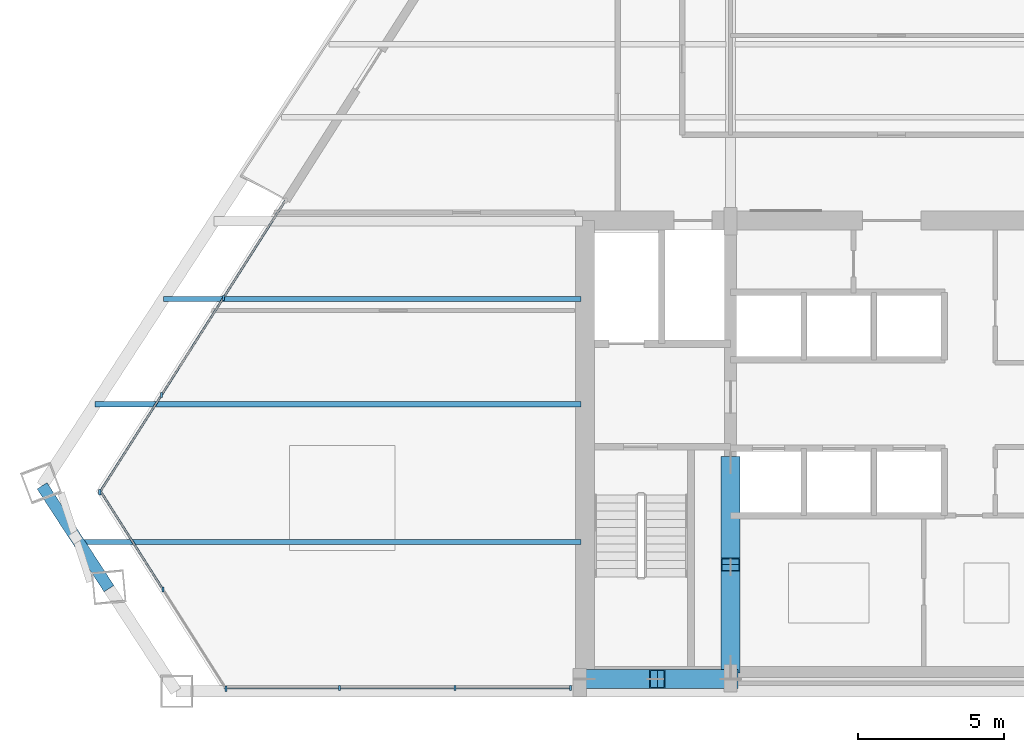
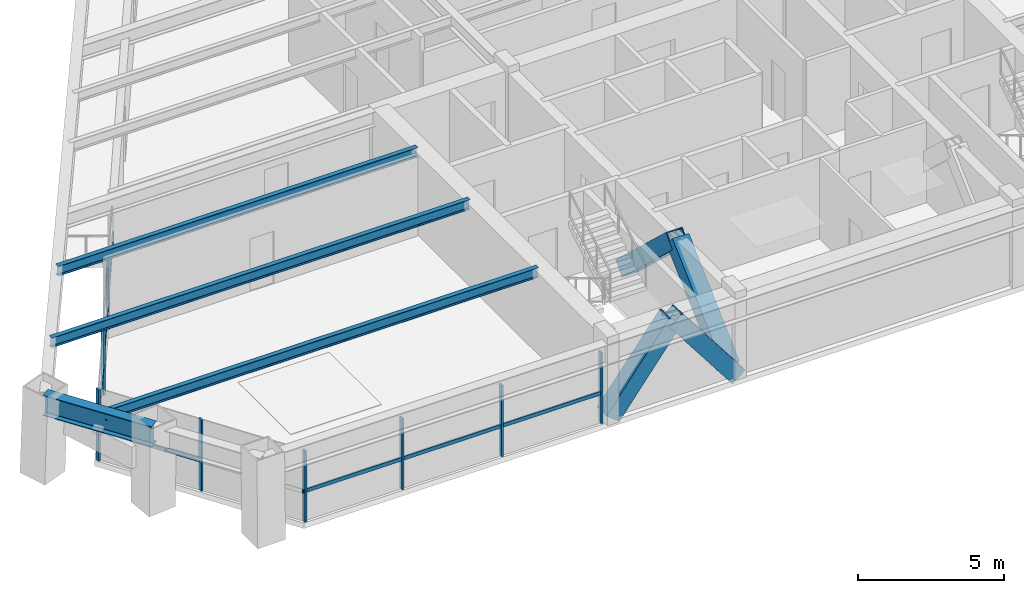
# One storey, part 2 of 15: 19 members, 4 beams, 3 elements without a shape of their own.
"""IFC4 building model written with IfcOpenShell, lengths in metres."""

from ifc_helpers import new_model, si_unit, direction, frame, origin, origin_2d, place, context, subcontext, project, spatial, rectangle, hollow_rectangle, i_section, extrude, source, transform, mapped, material, material_profile, profile_set, type_object, element, aggregate, save


model = new_model("IFC4")

# Units and contexts
model_context = context("Model", 3, precision=1e-05, world=origin(), true_north=direction((0.0, 1.0)))
body_context = subcontext(model_context, "Body", "Model", "MODEL_VIEW")
ifc_project = project(units=[si_unit("LENGTHUNIT", "METRE"), si_unit("AREAUNIT", "SQUARE_METRE"), si_unit("VOLUMEUNIT", "CUBIC_METRE"), si_unit("PLANEANGLEUNIT", "RADIAN"), si_unit("MASSUNIT", "GRAM", prefix="KILO")], contexts=[model_context])

# Site, building, storey
site_placement = place(None, origin())
site = spatial("IfcSite", under=ifc_project, at=site_placement, CompositionType="ELEMENT")
building_placement = place(site_placement, origin())
building = spatial("IfcBuilding", under=site, at=building_placement, Name="Varnakhor Terracotta Tower", CompositionType="ELEMENT")
storey_placement = place(building_placement, frame((0.0, 0.0, 162.60009765625)))
storey = spatial("IfcBuildingStorey", under=building, at=storey_placement, Name="L41", CompositionType="ELEMENT", Elevation=162.60009765625)

# Beams
ifc_material_1 = material(Name="Steel S355", Category="steel")
ifc_material_profile_1 = material_profile(ifc_material_1, i_section(OverallWidth=0.39990234375, OverallDepth=0.85498046875, WebThickness=0.01806640625, FlangeThickness=0.029052734375, FilletRadius=0.01806640625, at=origin_2d()), Name="W33X201")
ifc_profile_set_1 = profile_set([ifc_material_profile_1], Name="Steel S355")
beam_type_1 = type_object("IfcBeamType", Name="BM-W33X201", PredefinedType="BEAM", material=ifc_profile_set_1)
shared_shape_1 = source(origin(), body_context, "Body", "SweptSolid", [
    extrude(i_section(OverallWidth=0.39990234375, OverallDepth=0.85498046875, WebThickness=0.01806640625, FlangeThickness=0.029052734375, FilletRadius=0.01806640625, at=origin_2d()), origin(), (0.0, 0.0, 1.0), 4.1865234375),
])
beam_1_placement = place(storey_placement, frame((-29.007080078125, 7.016357421875, 2.972412109375), z_axis=(0.545773165164, -0.837932964017, 0.0), x_axis=(0.837932964017, 0.545773165164, 0.0)))
element("IfcBeam", 1, at=beam_1_placement, inside=storey, type_object=beam_type_1, Name="L41 Perimeter Spandrel 7", PredefinedType="BEAM", context=body_context, shape_type="MappedRepresentation", body=[
    mapped(shared_shape_1, transform((0.0, 0.0, 0.0), scale=1.0)),
])
ifc_material_profile_2 = material_profile(ifc_material_1, i_section(OverallWidth=0.179931640625, OverallDepth=0.4130859375, WebThickness=0.009765625, FlangeThickness=0.01611328125, FilletRadius=0.01806640625, at=origin_2d()), Name="W16X50")
ifc_profile_set_2 = profile_set([ifc_material_profile_2], Name="Steel S355")
beam_type_2 = type_object("IfcBeamType", Name="JST-W16X50", PredefinedType="JOIST", material=ifc_profile_set_2)
shared_shape_2 = source(origin(), body_context, "Body", "SweptSolid", [
    extrude(i_section(OverallWidth=0.179931640625, OverallDepth=0.4130859375, WebThickness=0.009765625, FlangeThickness=0.01611328125, FilletRadius=0.01806640625, at=origin_2d()), origin(), (0.0, 0.0, 1.0), 17.15869140625),
])
beam_2_placement = place(storey_placement, frame((-27.7587890625, 5.10009765625, 3.193359375), z_axis=(1.0, 0.0, 0.0), x_axis=(0.0, 1.0, 0.0)))
element("IfcBeam", 2, at=beam_2_placement, inside=storey, type_object=beam_type_2, Name="L41 Floor Joist W1", PredefinedType="JOIST", context=body_context, shape_type="MappedRepresentation", body=[
    mapped(shared_shape_2, transform((0.0, 0.0, 0.0), scale=1.0)),
])
shared_shape_3 = source(origin(), body_context, "Body", "SweptSolid", [
    extrude(i_section(OverallWidth=0.179931640625, OverallDepth=0.4130859375, WebThickness=0.009765625, FlangeThickness=0.01611328125, FilletRadius=0.01806640625, at=origin_2d()), origin(), (0.0, 0.0, 1.0), 16.597412109375),
])
beam_3_placement = place(storey_placement, frame((-27.197509765625, 9.800048828125, 3.193359375), z_axis=(1.0, 0.0, 0.0), x_axis=(0.0, 1.0, 0.0)))
element("IfcBeam", 3, at=beam_3_placement, inside=storey, type_object=beam_type_2, Name="L41 Floor Joist W2", PredefinedType="JOIST", context=body_context, shape_type="MappedRepresentation", body=[
    mapped(shared_shape_3, transform((0.0, 0.0, 0.0), scale=1.0)),
])
shared_shape_4 = source(origin(), body_context, "Body", "SweptSolid", [
    extrude(i_section(OverallWidth=0.179931640625, OverallDepth=0.4130859375, WebThickness=0.009765625, FlangeThickness=0.01611328125, FilletRadius=0.01806640625, at=origin_2d()), origin(), (0.0, 0.0, 1.0), 14.257568359375),
])
beam_4_placement = place(storey_placement, frame((-24.857666015625, 13.39990234375, 3.193359375), z_axis=(1.0, 0.0, 0.0), x_axis=(0.0, 1.0, 0.0)))
element("IfcBeam", 4, at=beam_4_placement, inside=storey, type_object=beam_type_2, Name="L41 Floor Joist W3", PredefinedType="JOIST", context=body_context, shape_type="MappedRepresentation", body=[
    mapped(shared_shape_4, transform((0.0, 0.0, 0.0), scale=1.0)),
])

# Members
ifc_material_2 = material(Name="Steel S460", Category="steel")
ifc_material_profile_3 = material_profile(ifc_material_2, hollow_rectangle(XDim=0.64990234375, YDim=0.64990234375, WallThickness=0.0400390625, at=origin_2d()), Name="HSS650X650X40")
ifc_profile_set_3 = profile_set([ifc_material_profile_3], Name="Steel S460")
member_type_1 = type_object("IfcMemberType", Name="MBR-MEGA-650", PredefinedType="BRACE", material=ifc_profile_set_3)
shared_shape_5 = source(origin(), body_context, "Body", "SweptSolid", [
    extrude(hollow_rectangle(XDim=0.64990234375, YDim=0.64990234375, WallThickness=0.0400390625, at=origin_2d()), origin(), (0.0, 0.0, 1.0), 4.100341796875),
])
for number, where, z_axis, x_axis, name in (
    (5, (-10.5, 0.419921875, 0.0), (0.60971076085, 0.0, 0.792623989105), (0.0, 1.0, 0.0), "L41 Core Coupled Brace CSWA"),
    (6, (-5.5, 0.419921875, 0.0), (-0.60971076085, 0.0, 0.792623989105), (0.0, -1.0, 0.0), "L41 Core Coupled Brace CSWB"),
):
    element("IfcMember", number, at=place(storey_placement, frame(where, z_axis=z_axis, x_axis=x_axis)), inside=storey, type_object=member_type_1, Name=name, PredefinedType="BRACE", context=body_context, shape_type="MappedRepresentation", body=[
        mapped(shared_shape_5, transform((0.0, 0.0, 0.0), scale=1.0)),
    ])
shared_shape_6 = source(origin(), body_context, "Body", "SweptSolid", [
    extrude(hollow_rectangle(XDim=0.64990234375, YDim=0.64990234375, WallThickness=0.0400390625, at=origin_2d()), origin(), (0.0, 0.0, 1.0), 4.7578125),
])
member_1_placement = place(storey_placement, frame((-5.5, 0.85009765625, 0.0), z_axis=(0.0, 0.730341602329, 0.683082091632), x_axis=(-1.0, 0.0, 0.0)))
element("IfcMember", 7, at=member_1_placement, inside=storey, type_object=member_type_1, Name="L41 Core Coupled Brace CWWA", PredefinedType="BRACE", context=body_context, shape_type="MappedRepresentation", body=[
    mapped(shared_shape_6, transform((0.0, 0.0, 0.0), scale=1.0)),
])
shared_shape_7 = source(origin(), body_context, "Body", "SweptSolid", [
    extrude(hollow_rectangle(XDim=0.64990234375, YDim=0.64990234375, WallThickness=0.0400390625, at=origin_2d()), origin(), (0.0, 0.0, 1.0), 4.758056640625),
])
member_2_placement = place(storey_placement, frame((-5.5, 7.800048828125, 0.0), z_axis=(0.0, -0.730365543808, 0.683056492846), x_axis=(1.0, 0.0, 0.0)))
element("IfcMember", 8, at=member_2_placement, inside=storey, type_object=member_type_1, Name="L41 Core Coupled Brace CWWB", PredefinedType="BRACE", context=body_context, shape_type="MappedRepresentation", body=[
    mapped(shared_shape_7, transform((0.0, 0.0, 0.0), scale=1.0)),
])

# Curtain wall, members
ifc_material_3 = material(Name="Anodised Aluminium Curtain Wall System", Category="aluminium")
curtain_wall_type = type_object("IfcCurtainWallType", Name="CW-SYS-MID-OFFICE", PredefinedType="NOTDEFINED", material=ifc_material_3)
curtain_wall_1_placement = place(storey_placement, origin())
curtain_wall_1 = element("IfcCurtainWall", 9, at=curtain_wall_1_placement, inside=storey, type_object=curtain_wall_type, Name="L41 W Facet Curtain Wall 1", PredefinedType="NOTDEFINED")
ifc_material_4 = material(Name="Anodised Aluminium 6063-T6", Category="aluminium")
ifc_material_profile_4 = material_profile(ifc_material_4, rectangle(XDim=0.070068359375, YDim=0.175048828125, at=origin_2d()), Name="ALU MULLION 70x175")
ifc_profile_set_4 = profile_set([ifc_material_profile_4], Name="Anodised Aluminium 6063-T6")
member_type_2 = type_object("IfcMemberType", Name="CWM-03", PredefinedType="MULLION", material=ifc_profile_set_4)
shared_shape_8 = source(origin(), body_context, "Body", "SweptSolid", [
    extrude(rectangle(XDim=0.070068359375, YDim=0.175048828125, at=origin_2d()), origin(), (0.0, 0.0, 1.0), 2.97998046875),
])
member_3_placement = place(storey_placement, frame((-27.037353515625, 6.79736328125, 0.0), z_axis=(0.0, 0.0, 1.0), x_axis=(1.0, 0.0, 0.0)))
member_3 = element("IfcMember", 10, at=member_3_placement, type_object=member_type_2, Name="L41 W Facet Curtain Wall 1 Mullion 1", PredefinedType="MULLION", context=body_context, shape_type="MappedRepresentation", body=[
    mapped(shared_shape_8, transform((0.0, 0.0, 0.0), scale=1.0)),
])
member_4_placement = place(storey_placement, frame((-24.926513671875, 10.114990234375, 0.0), z_axis=(0.0, 0.0, 1.0), x_axis=(1.0, 0.0, 0.0)))
member_4 = element("IfcMember", 11, at=member_4_placement, type_object=member_type_2, Name="L41 W Facet Curtain Wall 1 Mullion 2", PredefinedType="MULLION", context=body_context, shape_type="MappedRepresentation", body=[
    mapped(shared_shape_8, transform((0.0, 0.0, 0.0), scale=1.0)),
])
member_5_placement = place(storey_placement, frame((-22.815673828125, 13.4326171875, 0.0), z_axis=(0.0, 0.0, 1.0), x_axis=(1.0, 0.0, 0.0)))
member_5 = element("IfcMember", 12, at=member_5_placement, type_object=member_type_2, Name="L41 W Facet Curtain Wall 1 Mullion 3", PredefinedType="MULLION", context=body_context, shape_type="MappedRepresentation", body=[
    mapped(shared_shape_8, transform((0.0, 0.0, 0.0), scale=1.0)),
])

curtain_wall_2_placement = place(storey_placement, origin())
curtain_wall_2 = element("IfcCurtainWall", 13, at=curtain_wall_2_placement, inside=storey, type_object=curtain_wall_type, Name="L41 South Wing Curtain Wall SSW", PredefinedType="NOTDEFINED")
member_6_placement = place(storey_placement, frame((-10.969970703125, 0.1201171875, 0.0), z_axis=(0.0, 0.0, 1.0), x_axis=(1.0, 0.0, 0.0)))
member_6 = element("IfcMember", 14, at=member_6_placement, type_object=member_type_2, Name="L41 South Wing Curtain Wall SSW Mullion 1", PredefinedType="MULLION", context=body_context, shape_type="MappedRepresentation", body=[
    mapped(shared_shape_8, transform((0.0, 0.0, 0.0), scale=1.0)),
])
member_7_placement = place(storey_placement, frame((-14.913818359375, 0.1201171875, 0.0), z_axis=(0.0, 0.0, 1.0), x_axis=(1.0, 0.0, 0.0)))
member_7 = element("IfcMember", 15, at=member_7_placement, type_object=member_type_2, Name="L41 South Wing Curtain Wall SSW Mullion 2", PredefinedType="MULLION", context=body_context, shape_type="MappedRepresentation", body=[
    mapped(shared_shape_8, transform((0.0, 0.0, 0.0), scale=1.0)),
])
member_8_placement = place(storey_placement, frame((-18.857421875, 0.1201171875, 0.0), z_axis=(0.0, 0.0, 1.0), x_axis=(1.0, 0.0, 0.0)))
member_8 = element("IfcMember", 16, at=member_8_placement, type_object=member_type_2, Name="L41 South Wing Curtain Wall SSW Mullion 3", PredefinedType="MULLION", context=body_context, shape_type="MappedRepresentation", body=[
    mapped(shared_shape_8, transform((0.0, 0.0, 0.0), scale=1.0)),
])

curtain_wall_3_placement = place(storey_placement, origin())
curtain_wall_3 = element("IfcCurtainWall", 17, at=curtain_wall_3_placement, inside=storey, type_object=curtain_wall_type, Name="L41 Facet Curtain Wall 6", PredefinedType="NOTDEFINED")
member_9_placement = place(storey_placement, frame((-22.725830078125, 0.089599609375, 0.0), z_axis=(0.0, 0.0, 1.0), x_axis=(1.0, 0.0, 0.0)))
member_9 = element("IfcMember", 18, at=member_9_placement, type_object=member_type_2, Name="L41 Facet Curtain Wall 6 Mullion 1", PredefinedType="MULLION", context=body_context, shape_type="MappedRepresentation", body=[
    mapped(shared_shape_8, transform((0.0, 0.0, 0.0), scale=1.0)),
])
member_10_placement = place(storey_placement, frame((-24.881591796875, 3.482666015625, 0.0), z_axis=(0.0, 0.0, 1.0), x_axis=(1.0, 0.0, 0.0)))
member_10 = element("IfcMember", 19, at=member_10_placement, type_object=member_type_2, Name="L41 Facet Curtain Wall 6 Mullion 2", PredefinedType="MULLION", context=body_context, shape_type="MappedRepresentation", body=[
    mapped(shared_shape_8, transform((0.0, 0.0, 0.0), scale=1.0)),
])

# Member
ifc_material_profile_5 = material_profile(ifc_material_4, rectangle(XDim=0.070068359375, YDim=0.155029296875, at=origin_2d()), Name="ALU TRANSOM 70x155")
ifc_profile_set_5 = profile_set([ifc_material_profile_5], Name="Anodised Aluminium 6063-T6")
member_type_3 = type_object("IfcMemberType", Name="CWT-03", PredefinedType="USERDEFINED", material=ifc_profile_set_5)
shared_shape_9 = source(origin(), body_context, "Body", "SweptSolid", [
    extrude(rectangle(XDim=0.070068359375, YDim=0.155029296875, at=origin_2d()), origin(), (0.0, 0.0, 1.0), 3.93212890625),
])
member_11_placement = place(storey_placement, frame((-27.037353515625, 6.79736328125, 1.25146484375), z_axis=(0.536807194353, 0.84370494611, 0.0), x_axis=(-0.84370494611, 0.536807194353, 0.0)))
member_11 = element("IfcMember", 20, at=member_11_placement, type_object=member_type_3, Name="L41 W Facet Curtain Wall 1 Transom 1", ObjectType="TRANSOM", PredefinedType="USERDEFINED", context=body_context, shape_type="MappedRepresentation", body=[
    mapped(shared_shape_9, transform((0.0, 0.0, 0.0), scale=1.0)),
])

member_12_placement = place(storey_placement, frame((-24.926513671875, 10.114990234375, 1.25146484375), z_axis=(0.536807194353, 0.84370494611, 0.0), x_axis=(-0.84370494611, 0.536807194353, 0.0)))
member_12 = element("IfcMember", 21, at=member_12_placement, type_object=member_type_3, Name="L41 W Facet Curtain Wall 1 Transom 2", ObjectType="TRANSOM", PredefinedType="USERDEFINED", context=body_context, shape_type="MappedRepresentation", body=[
    mapped(shared_shape_9, transform((0.0, 0.0, 0.0), scale=1.0)),
])

member_13_placement = place(storey_placement, frame((-22.815673828125, 13.4326171875, 1.25146484375), z_axis=(0.536807194353, 0.84370494611, 0.0), x_axis=(-0.84370494611, 0.536807194353, 0.0)))
member_13 = element("IfcMember", 22, at=member_13_placement, type_object=member_type_3, Name="L41 W Facet Curtain Wall 1 Transom 3", ObjectType="TRANSOM", PredefinedType="USERDEFINED", context=body_context, shape_type="MappedRepresentation", body=[
    mapped(shared_shape_9, transform((0.0, 0.0, 0.0), scale=1.0)),
])

aggregate(curtain_wall_1, [member_3, member_11, member_4, member_12, member_5, member_13])

shared_shape_10 = source(origin(), body_context, "Body", "SweptSolid", [
    extrude(rectangle(XDim=0.070068359375, YDim=0.155029296875, at=origin_2d()), origin(), (0.0, 0.0, 1.0), 3.94384765625),
])
member_14_placement = place(storey_placement, frame((-10.969970703125, 0.1201171875, 1.25146484375), z_axis=(-1.0, 0.0, 0.0), x_axis=(0.0, -1.0, 0.0)))
member_14 = element("IfcMember", 23, at=member_14_placement, type_object=member_type_3, Name="L41 South Wing Curtain Wall SSW Transom 1", ObjectType="TRANSOM", PredefinedType="USERDEFINED", context=body_context, shape_type="MappedRepresentation", body=[
    mapped(shared_shape_10, transform((0.0, 0.0, 0.0), scale=1.0)),
])

shared_shape_11 = source(origin(), body_context, "Body", "SweptSolid", [
    extrude(rectangle(XDim=0.070068359375, YDim=0.155029296875, at=origin_2d()), origin(), (0.0, 0.0, 1.0), 3.943603515625),
])
member_15_placement = place(storey_placement, frame((-14.913818359375, 0.1201171875, 1.25146484375), z_axis=(-1.0, 0.0, 0.0), x_axis=(0.0, -1.0, 0.0)))
member_15 = element("IfcMember", 24, at=member_15_placement, type_object=member_type_3, Name="L41 South Wing Curtain Wall SSW Transom 2", ObjectType="TRANSOM", PredefinedType="USERDEFINED", context=body_context, shape_type="MappedRepresentation", body=[
    mapped(shared_shape_11, transform((0.0, 0.0, 0.0), scale=1.0)),
])

member_16_placement = place(storey_placement, frame((-18.857421875, 0.1201171875, 1.25146484375), z_axis=(-1.0, 0.0, 0.0), x_axis=(0.0, -1.0, 0.0)))
member_16 = element("IfcMember", 25, at=member_16_placement, type_object=member_type_3, Name="L41 South Wing Curtain Wall SSW Transom 3", ObjectType="TRANSOM", PredefinedType="USERDEFINED", context=body_context, shape_type="MappedRepresentation", body=[
    mapped(shared_shape_11, transform((0.0, 0.0, 0.0), scale=1.0)),
])

aggregate(curtain_wall_2, [member_6, member_14, member_7, member_15, member_8, member_16])

shared_shape_12 = source(origin(), body_context, "Body", "SweptSolid", [
    extrude(rectangle(XDim=0.070068359375, YDim=0.155029296875, at=origin_2d()), origin(), (0.0, 0.0, 1.0), 4.019775390625),
])
member_17_placement = place(storey_placement, frame((-24.881591796875, 3.482666015625, 1.25146484375), z_axis=(-0.536289806292, 0.844033911444, 0.0), x_axis=(-0.844033911444, -0.536289806292, 0.0)))
member_17 = element("IfcMember", 26, at=member_17_placement, type_object=member_type_3, Name="L41 Facet Curtain Wall 6 Transom 2", ObjectType="TRANSOM", PredefinedType="USERDEFINED", context=body_context, shape_type="MappedRepresentation", body=[
    mapped(shared_shape_12, transform((0.0, 0.0, 0.0), scale=1.0)),
])

aggregate(curtain_wall_3, [member_9, member_10, member_17])

save(model, "model.ifc")
